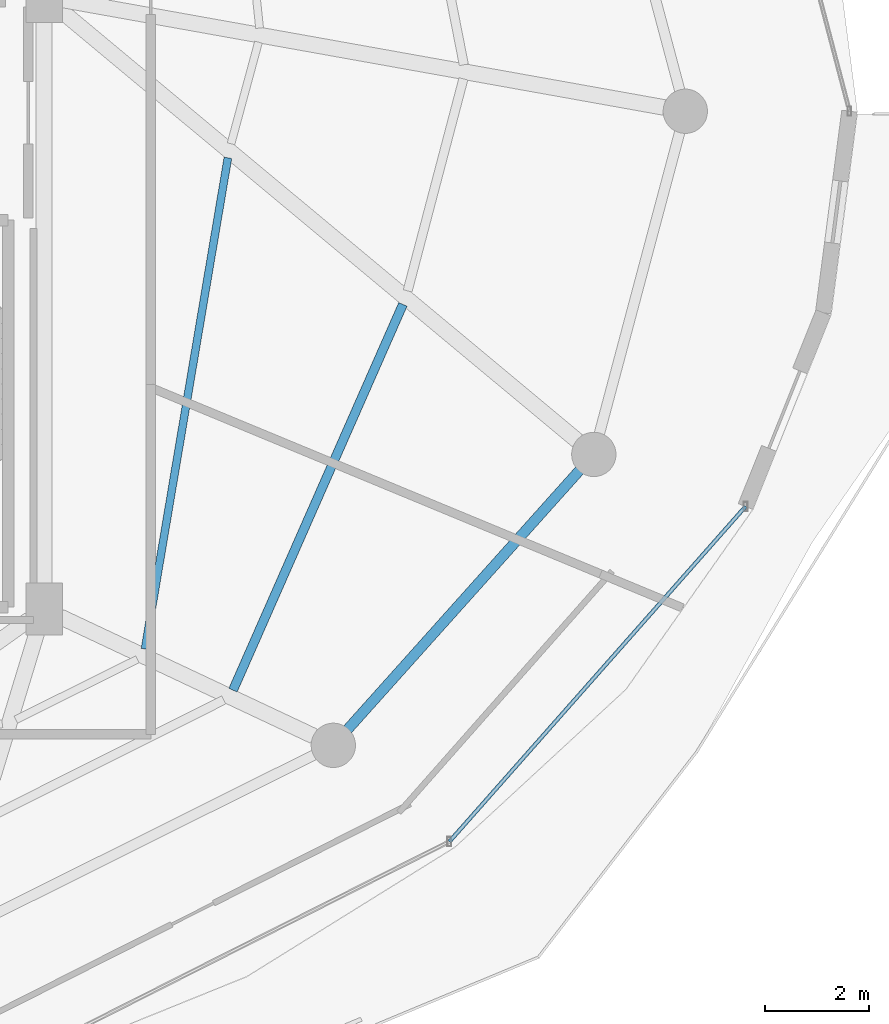
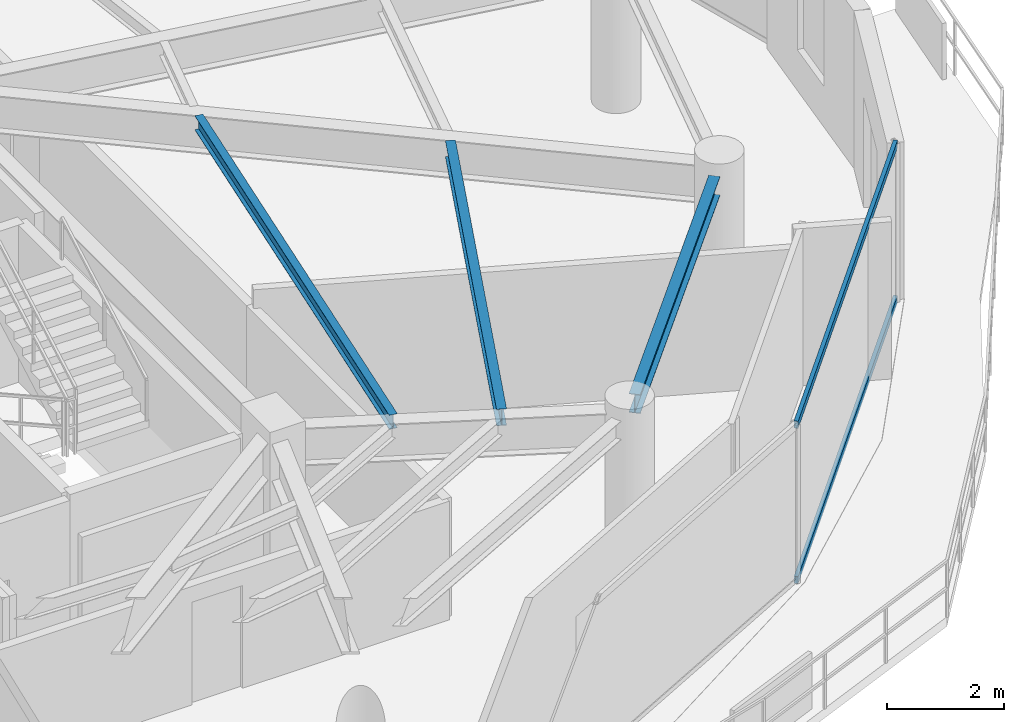
# One storey, part 12 of 30: 3 beams, 2 members, 1 element without a shape of its own.
"""IFC4 building model written with IfcOpenShell, lengths in metres."""

from ifc_helpers import new_model, si_unit, direction, frame, origin, origin_2d, place, context, subcontext, project, spatial, hollow_rectangle, i_section, extrude, material, material_profile, profile_set, type_object, element, aggregate, save


model = new_model("IFC4")

# Units and contexts
model_context = context("Model", 3, precision=1e-05, world=origin(), true_north=direction((0.0, 1.0)))
body_context = subcontext(model_context, "Body", "Model", "MODEL_VIEW")
ifc_project = project(units=[si_unit("LENGTHUNIT", "METRE"), si_unit("AREAUNIT", "SQUARE_METRE"), si_unit("VOLUMEUNIT", "CUBIC_METRE"), si_unit("PLANEANGLEUNIT", "RADIAN"), si_unit("MASSUNIT", "GRAM", prefix="KILO")], contexts=[model_context])

# Site, building, storey
site_placement = place(None, origin())
site = spatial("IfcSite", under=ifc_project, at=site_placement, CompositionType="ELEMENT")
building_placement = place(site_placement, origin())
building = spatial("IfcBuilding", under=site, at=building_placement, Name="Vorneva Point Tower", CompositionType="ELEMENT")
storey_placement = place(building_placement, frame((0.0, 0.0, 241.35009765625)))
storey = spatial("IfcBuildingStorey", under=building, at=storey_placement, Name="L65", CompositionType="ELEMENT", Elevation=241.35009765625)

# Beams
ifc_material_1 = material(Name="Steel S355", Category="steel")
ifc_material_profile_1 = material_profile(ifc_material_1, i_section(OverallWidth=0.14892578125, OverallDepth=0.298095703125, WebThickness=0.005615234375, FlangeThickness=0.008056640625, at=origin_2d()), Name="30B1")
ifc_profile_set_1 = profile_set([ifc_material_profile_1], Name="Steel S355")
beam_type_1 = type_object("IfcBeamType", Name="BM-JST-30B1", PredefinedType="JOIST", material=ifc_profile_set_1)
beam_1_placement = place(storey_placement, frame((50.686767578125, 15.68505859375, 3.140869140625), z_axis=(0.166457815595, 0.986048576708, 0.0), x_axis=(-0.986048576708, 0.166457815595, 0.0)))
element("IfcBeam", 1, at=beam_1_placement, inside=storey, type_object=beam_type_1, Name="L65 Secondary Floor Beam 2.15", PredefinedType="JOIST", context=body_context, shape_type="SweptSolid", body=[
    extrude(i_section(OverallWidth=0.14892578125, OverallDepth=0.298095703125, WebThickness=0.005615234375, FlangeThickness=0.008056640625, at=origin_2d()), origin(), (0.0, 0.0, 1.0), 9.555419921875),
])
ifc_material_profile_2 = material_profile(ifc_material_1, i_section(OverallWidth=0.174072265625, OverallDepth=0.345947265625, WebThickness=0.006103515625, FlangeThickness=0.009033203125, at=origin_2d()), Name="35B1")
ifc_profile_set_2 = profile_set([ifc_material_profile_2], Name="Steel S355")
beam_type_2 = type_object("IfcBeamType", Name="BM-SEC-35B1", PredefinedType="BEAM", material=ifc_profile_set_2)
beam_2_placement = place(storey_placement, frame((52.37451171875, 14.896240234375, 3.116943359375), z_axis=(0.40308772822, 0.915161342802, 0.0), x_axis=(-0.915161342802, 0.40308772822, 0.0)))
element("IfcBeam", 2, at=beam_2_placement, inside=storey, type_object=beam_type_2, Name="L65 Secondary Floor Beam 1.15", PredefinedType="BEAM", context=body_context, shape_type="SweptSolid", body=[
    extrude(i_section(OverallWidth=0.174072265625, OverallDepth=0.345947265625, WebThickness=0.006103515625, FlangeThickness=0.009033203125, at=origin_2d()), origin(), (0.0, 0.0, 1.0), 8.08447265625),
])
ifc_material_profile_3 = material_profile(ifc_material_1, i_section(OverallWidth=0.198974609375, OverallDepth=0.39599609375, WebThickness=0.007080078125, FlangeThickness=0.010986328125, at=origin_2d()), Name="40B1")
ifc_profile_set_3 = profile_set([ifc_material_profile_3], Name="Steel S355")
beam_type_3 = type_object("IfcBeamType", Name="BM-SPN-40B1", PredefinedType="SPANDREL", material=ifc_profile_set_3)
beam_3_placement = place(storey_placement, frame((54.572265625, 14.143310546875, 3.091796875), z_axis=(0.667108282638, 0.744960763554, 0.0), x_axis=(-0.744960763554, 0.667108282638, 0.0)))
element("IfcBeam", 3, at=beam_3_placement, inside=storey, type_object=beam_type_3, Name="L65 Perimeter Spandrel Ring Beam 15", PredefinedType="SPANDREL", context=body_context, shape_type="SweptSolid", body=[
    extrude(i_section(OverallWidth=0.198974609375, OverallDepth=0.39599609375, WebThickness=0.007080078125, FlangeThickness=0.010986328125, at=origin_2d()), origin(), (0.0, 0.0, 1.0), 6.670166015625),
])

# Curtain wall, members
ifc_material_2 = material(Name="Pale anodised aluminium", Category="aluminium")
curtain_wall_type = type_object("IfcCurtainWallType", Name="CW-RES-SYS", PredefinedType="NOTDEFINED", material=ifc_material_2)
curtain_wall_placement = place(storey_placement, origin())
curtain_wall = element("IfcCurtainWall", 4, at=curtain_wall_placement, inside=storey, type_object=curtain_wall_type, Name="L65 Unitised Curtain Wall CW-L65-R04", PredefinedType="NOTDEFINED")
ifc_material_profile_4 = material_profile(ifc_material_2, hollow_rectangle(XDim=0.074951171875, YDim=0.14990234375, WallThickness=0.00390625, at=origin_2d()), Name="AL-TRN 150x75x4")
ifc_profile_set_4 = profile_set([ifc_material_profile_4], Name="Pale anodised aluminium")
member_type = type_object("IfcMemberType", Name="CW-TRN-150", PredefinedType="USERDEFINED", material=ifc_profile_set_4)
member_1_placement = place(storey_placement, frame((56.526123046875, 11.9921875, 0.02001953125), z_axis=(0.662196681357, 0.74933007093, 0.0), x_axis=(-0.74933007093, 0.662196681357, 0.0)))
member_1 = element("IfcMember", 5, at=member_1_placement, type_object=member_type, Name="CW-L65-R04 Transom 05.1", ObjectType="TRANSOM", PredefinedType="USERDEFINED", context=body_context, shape_type="SweptSolid", body=[
    extrude(hollow_rectangle(XDim=0.074951171875, YDim=0.14990234375, WallThickness=0.00390625, at=origin_2d()), origin(), (0.0, 0.0, 1.0), 8.57666015625),
])
member_2_placement = place(storey_placement, frame((56.526123046875, 11.9921875, 3.27001953125), z_axis=(0.662196681357, 0.74933007093, 0.0), x_axis=(-0.74933007093, 0.662196681357, 0.0)))
member_2 = element("IfcMember", 6, at=member_2_placement, type_object=member_type, Name="CW-L65-R04 Transom 05.2", ObjectType="TRANSOM", PredefinedType="USERDEFINED", context=body_context, shape_type="SweptSolid", body=[
    extrude(hollow_rectangle(XDim=0.074951171875, YDim=0.14990234375, WallThickness=0.00390625, at=origin_2d()), origin(), (0.0, 0.0, 1.0), 8.57666015625),
])
aggregate(curtain_wall, [member_1, member_2])

save(model, "model.ifc")
